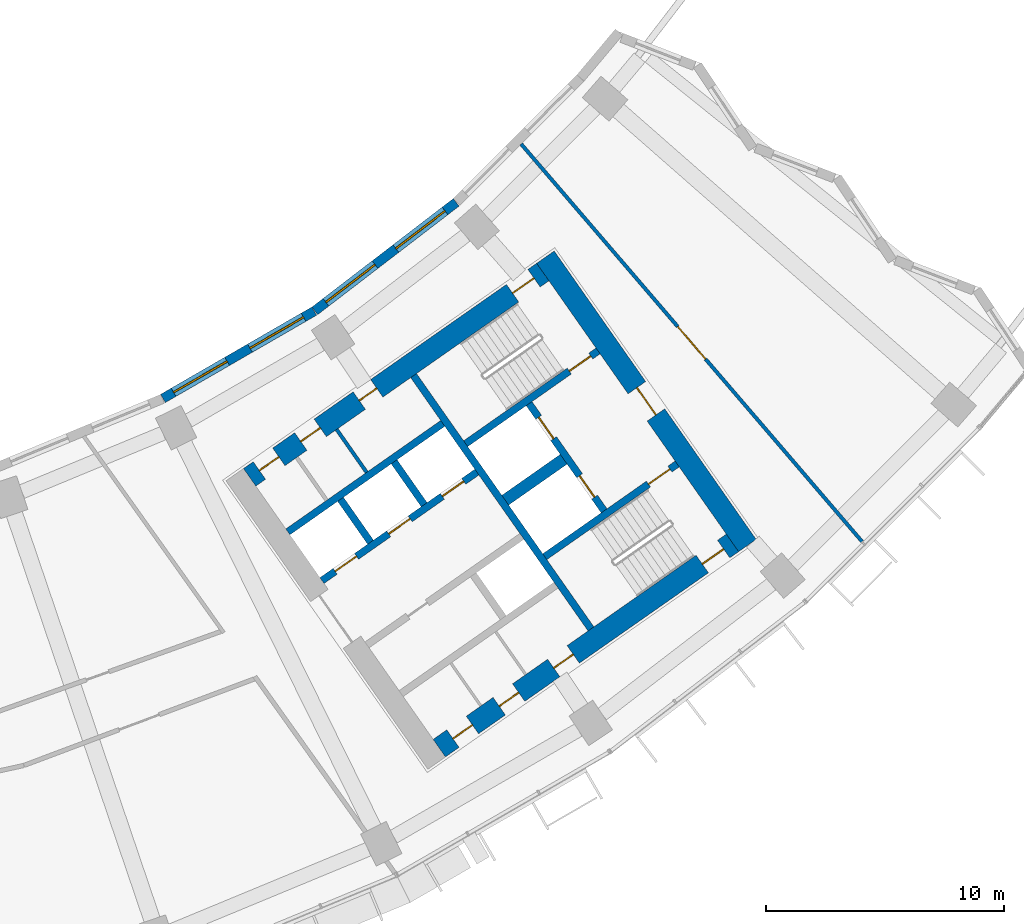
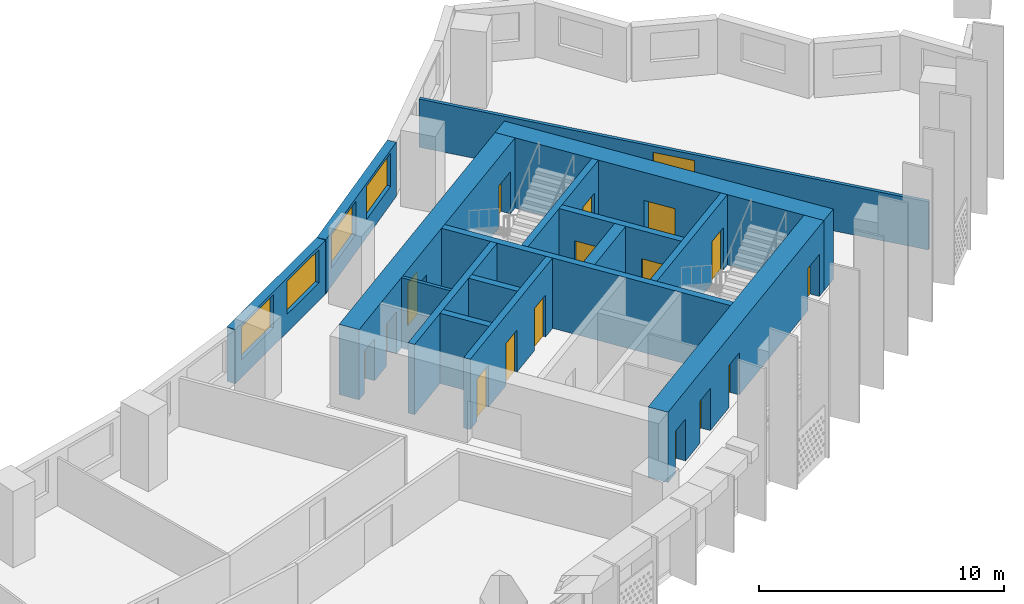
# One storey, part 7 of 29: 17 doors, 16 walls, 4 windows, 21 openings.
"""IFC4 building model written with IfcOpenShell, lengths in metres."""

from ifc_helpers import new_model, si_unit, direction, frame, frame_2d, origin, place, context, subcontext, project, spatial, rectangle, extrude, material, layer, layer_set, type_object, element, fill, save


model = new_model("IFC4")

# Units and contexts
model_context = context("Model", 3, precision=1e-05, world=origin(), true_north=direction((0.0, 1.0)))
body_context = subcontext(model_context, "Body", "Model", "MODEL_VIEW")
ifc_project = project(units=[si_unit("LENGTHUNIT", "METRE"), si_unit("AREAUNIT", "SQUARE_METRE"), si_unit("VOLUMEUNIT", "CUBIC_METRE"), si_unit("PLANEANGLEUNIT", "RADIAN"), si_unit("MASSUNIT", "GRAM", prefix="KILO")], contexts=[model_context])

# Site, building, storey
site_placement = place(None, origin())
site = spatial("IfcSite", under=ifc_project, at=site_placement, CompositionType="ELEMENT")
building_placement = place(site_placement, origin())
building = spatial("IfcBuilding", under=site, at=building_placement, Name="Qamariyya Broadcast Tower", CompositionType="ELEMENT")
storey_placement = place(building_placement, frame((0.0, 0.0, 132.89990234375)))
storey = spatial("IfcBuildingStorey", under=building, at=storey_placement, Name="L30", CompositionType="ELEMENT", Elevation=132.89990234375)

# Wall, opening, door
ifc_material_1 = material(Name="Concrete C70/85", Category="concrete")
ifc_layer_1 = layer(ifc_material_1, 0.89990234375)
ifc_layer_set_1 = layer_set([ifc_layer_1], Name="Core wall 900 mm Concrete C70/85")
wall_type_1 = type_object("IfcWallType", Name="Core wall 900 mm Concrete C70/85", PredefinedType="SHEAR", material=ifc_layer_set_1)
wall_1_placement = place(storey_placement, frame((49.778564453125, -57.191162109375, 0.0), z_axis=(0.0, 0.0, 1.0), x_axis=(-0.573577477574, 0.819151315216, 0.0)))
wall_1 = element("IfcWall", 1, at=wall_1_placement, inside=storey, type_object=wall_type_1, Name="k-E-L30-WH", PredefinedType="SHEAR", context=body_context, shape_type="SweptSolid", body=[
    extrude(rectangle(XDim=14.800048828125, YDim=0.89990234375, at=frame_2d((7.39990234375, 0.0))), origin(), (0.0, 0.0, 1.0), 3.5),
])
opening_1_placement = place(wall_1_placement, frame((6.699951171875, 0.0, 0.0)))
opening_1 = element("IfcOpeningElement", 2, at=opening_1_placement, cuts=wall_1, Name="Opening KD2-E1", PredefinedType="OPENING", context=body_context, shape_type="SweptSolid", body=[
    extrude(rectangle(XDim=1.39990234375, YDim=2.10009765625, at=frame_2d((0.699951171875, 1.050048828125))), frame((0.0, 0.4599609375, 0.0), z_axis=(0.0, -1.0, 0.0), x_axis=(1.0, 0.0, 0.0)), (0.0, 0.0, 1.0), 0.919921875),
])
ifc_material_2 = material(Name="Steel fire-resisting door leaf", Category="steel")
door_type_1 = type_object("IfcDoorType", Name="Fire-fighting lobby door KD2", OperationType="DOUBLE_DOOR_SINGLE_SWING", PredefinedType="DOOR", material=ifc_material_2)
door_1_placement = place(opening_1_placement, origin())
door_1 = element("IfcDoor", 3, at=door_1_placement, inside=storey, type_object=door_type_1, Name="k-E-L30-WH-D14", OperationType="DOUBLE_DOOR_SINGLE_SWING", OverallHeight=2.10009765625, OverallWidth=1.39990234375, PredefinedType="DOOR", context=body_context, shape_type="SweptSolid", body=[
    extrude(rectangle(XDim=1.39990234375, YDim=2.10009765625, at=frame_2d((0.699951171875, 1.050048828125))), frame((0.0, 0.02490234375, 0.0), z_axis=(0.0, -1.0, 0.0), x_axis=(1.0, 0.0, 0.0)), (0.0, 0.0, 1.0), 0.050048828125),
])
fill(opening_1, door_1)

# Wall, openings, doors
wall_2_placement = place(storey_placement, frame((28.8544921875, -54.32421875, 0.0), z_axis=(0.0, 0.0, 1.0), x_axis=(0.819145767589, 0.573585400304, 0.0)))
wall_2 = element("IfcWall", 4, at=wall_2_placement, inside=storey, type_object=wall_type_1, Name="k-E-L30-WI", PredefinedType="SHEAR", context=body_context, shape_type="SweptSolid", body=[
    extrude(rectangle(XDim=15.04541015625, YDim=0.89990234375, at=frame_2d((7.522705078125, 0.0))), origin(), (0.0, 0.0, 1.0), 3.5),
])
opening_2_placement = place(wall_2_placement, frame((0.5, 0.0, 0.0)))
opening_2 = element("IfcOpeningElement", 5, at=opening_2_placement, cuts=wall_2, Name="Opening KD6-E2", PredefinedType="OPENING", context=body_context, shape_type="SweptSolid", body=[
    extrude(rectangle(XDim=1.0, YDim=2.10009765625, at=frame_2d((0.5, 1.050048828125))), frame((0.0, 0.4599609375, 0.0), z_axis=(0.0, -1.0, 0.0), x_axis=(1.0, 0.0, 0.0)), (0.0, 0.0, 1.0), 0.919921875),
])
opening_3_placement = place(wall_2_placement, frame((2.625, 0.0, 0.0)))
opening_3 = element("IfcOpeningElement", 6, at=opening_3_placement, cuts=wall_2, Name="Opening KD7-E1", PredefinedType="OPENING", context=body_context, shape_type="SweptSolid", body=[
    extrude(rectangle(XDim=1.0, YDim=2.10009765625, at=frame_2d((0.5, 1.050048828125))), frame((0.0, 0.4599609375, 0.0), z_axis=(0.0, -1.0, 0.0), x_axis=(1.0, 0.0, 0.0)), (0.0, 0.0, 1.0), 0.919921875),
])
opening_4_placement = place(wall_2_placement, frame((5.625, 0.0, 0.0)))
opening_4 = element("IfcOpeningElement", 7, at=opening_4_placement, cuts=wall_2, Name="Opening KD5-E1", PredefinedType="OPENING", context=body_context, shape_type="SweptSolid", body=[
    extrude(rectangle(XDim=0.89990234375, YDim=2.10009765625, at=frame_2d((0.449951171875, 1.050048828125))), frame((0.0, 0.4599609375, 0.0), z_axis=(0.0, -1.0, 0.0), x_axis=(1.0, 0.0, 0.0)), (0.0, 0.0, 1.0), 0.919921875),
])
opening_5_placement = place(wall_2_placement, frame((13.495361328125, 0.0, 0.0)))
opening_5 = element("IfcOpeningElement", 8, at=opening_5_placement, cuts=wall_2, Name="Opening KD1-E1", PredefinedType="OPENING", context=body_context, shape_type="SweptSolid", body=[
    extrude(rectangle(XDim=1.10009765625, YDim=2.10009765625, at=frame_2d((0.550048828125, 1.050048828125))), frame((0.0, 0.4599609375, 0.0), z_axis=(0.0, -1.0, 0.0), x_axis=(1.0, 0.0, 0.0)), (0.0, 0.0, 1.0), 0.919921875),
])
door_type_2 = type_object("IfcDoorType", Name="Accessible toilet door KD7", OperationType="SINGLE_SWING_LEFT", PredefinedType="DOOR", material=ifc_material_2)
door_2_placement = place(opening_3_placement, origin())
door_2 = element("IfcDoor", 9, at=door_2_placement, inside=storey, type_object=door_type_2, Name="k-E-L30-WI-D7", OperationType="SINGLE_SWING_LEFT", OverallHeight=2.10009765625, OverallWidth=1.0, PredefinedType="DOOR", context=body_context, shape_type="SweptSolid", body=[
    extrude(rectangle(XDim=1.0, YDim=2.10009765625, at=frame_2d((0.5, 1.050048828125))), frame((0.0, 0.02490234375, 0.0), z_axis=(0.0, -1.0, 0.0), x_axis=(1.0, 0.0, 0.0)), (0.0, 0.0, 1.0), 0.050048828125),
])
fill(opening_3, door_2)
door_type_3 = type_object("IfcDoorType", Name="Core room door KD6", OperationType="SINGLE_SWING_LEFT", PredefinedType="DOOR", material=ifc_material_2)
door_3_placement = place(opening_2_placement, origin())
door_3 = element("IfcDoor", 10, at=door_3_placement, inside=storey, type_object=door_type_3, Name="k-E-L30-WI-D6", OperationType="SINGLE_SWING_RIGHT", OverallHeight=2.10009765625, OverallWidth=1.0, PredefinedType="DOOR", context=body_context, shape_type="SweptSolid", body=[
    extrude(rectangle(XDim=1.0, YDim=2.10009765625, at=frame_2d((0.5, 1.050048828125))), frame((0.0, 0.02490234375, 0.0), z_axis=(0.0, -1.0, 0.0), x_axis=(1.0, 0.0, 0.0)), (0.0, 0.0, 1.0), 0.050048828125),
])
fill(opening_2, door_3)
door_type_4 = type_object("IfcDoorType", Name="Stair door KD1", OperationType="SINGLE_SWING_LEFT", PredefinedType="DOOR", material=ifc_material_2)
door_4_placement = place(opening_5_placement, origin())
door_4 = element("IfcDoor", 11, at=door_4_placement, inside=storey, type_object=door_type_4, Name="k-E-L30-WI-D15", OperationType="SINGLE_SWING_RIGHT", OverallHeight=2.10009765625, OverallWidth=1.10009765625, PredefinedType="DOOR", context=body_context, shape_type="SweptSolid", body=[
    extrude(rectangle(XDim=1.10009765625, YDim=2.10009765625, at=frame_2d((0.550048828125, 1.050048828125))), frame((0.0, 0.02490234375, 0.0), z_axis=(0.0, -1.0, 0.0), x_axis=(1.0, 0.0, 0.0)), (0.0, 0.0, 1.0), 0.050048828125),
])
fill(opening_5, door_4)
door_type_5 = type_object("IfcDoorType", Name="Toilet door KD5", OperationType="SINGLE_SWING_LEFT", PredefinedType="DOOR", material=ifc_material_2)
door_5_placement = place(opening_4_placement, origin())
door_5 = element("IfcDoor", 12, at=door_5_placement, inside=storey, type_object=door_type_5, Name="k-E-L30-WI-D8", OperationType="SINGLE_SWING_RIGHT", OverallHeight=2.10009765625, OverallWidth=0.89990234375, PredefinedType="DOOR", context=body_context, shape_type="SweptSolid", body=[
    extrude(rectangle(XDim=0.89990234375, YDim=2.10009765625, at=frame_2d((0.449951171875, 1.050048828125))), frame((0.0, 0.02490234375, 0.0), z_axis=(0.0, -1.0, 0.0), x_axis=(1.0, 0.0, 0.0)), (0.0, 0.0, 1.0), 0.050048828125),
])
fill(opening_4, door_5)

wall_3_placement = place(storey_placement, frame((36.827392578125, -65.710205078125, 0.0), z_axis=(0.0, 0.0, 1.0), x_axis=(0.819153391756, 0.573574511963, 0.0)))
wall_3 = element("IfcWall", 13, at=wall_3_placement, inside=storey, type_object=wall_type_1, Name="k-E-L30-WO", PredefinedType="SHEAR", context=body_context, shape_type="SweptSolid", body=[
    extrude(rectangle(XDim=15.04541015625, YDim=0.89990234375, at=frame_2d((7.522705078125, 0.0))), origin(), (0.0, 0.0, 1.0), 3.5),
])
opening_6_placement = place(wall_3_placement, frame((0.699951171875, 0.0, 0.0)))
opening_6 = element("IfcOpeningElement", 14, at=opening_6_placement, cuts=wall_3, Name="Opening KD6-E3", PredefinedType="OPENING", context=body_context, shape_type="SweptSolid", body=[
    extrude(rectangle(XDim=1.0, YDim=2.10009765625, at=frame_2d((0.5, 1.050048828125))), frame((0.0, 0.4599609375, 0.0), z_axis=(0.0, -1.0, 0.0), x_axis=(1.0, 0.0, 0.0)), (0.0, 0.0, 1.0), 0.919921875),
])
opening_7_placement = place(wall_3_placement, frame((3.074951171875, 0.0, 0.0)))
opening_7 = element("IfcOpeningElement", 15, at=opening_7_placement, cuts=wall_3, Name="Opening KD4-E1", PredefinedType="OPENING", context=body_context, shape_type="SweptSolid", body=[
    extrude(rectangle(XDim=1.0, YDim=2.10009765625, at=frame_2d((0.5, 1.050048828125))), frame((0.0, 0.4599609375, 0.0), z_axis=(0.0, -1.0, 0.0), x_axis=(1.0, 0.0, 0.0)), (0.0, 0.0, 1.0), 0.919921875),
])
opening_8_placement = place(wall_3_placement, frame((5.875, 0.0, 0.0)))
opening_8 = element("IfcOpeningElement", 16, at=opening_8_placement, cuts=wall_3, Name="Opening KD4-E2", PredefinedType="OPENING", context=body_context, shape_type="SweptSolid", body=[
    extrude(rectangle(XDim=1.0, YDim=2.10009765625, at=frame_2d((0.5, 1.050048828125))), frame((0.0, 0.4599609375, 0.0), z_axis=(0.0, -1.0, 0.0), x_axis=(1.0, 0.0, 0.0)), (0.0, 0.0, 1.0), 0.919921875),
])
opening_9_placement = place(wall_3_placement, frame((13.495361328125, 0.0, 0.0)))
opening_9 = element("IfcOpeningElement", 17, at=opening_9_placement, cuts=wall_3, Name="Opening KD1-E3", PredefinedType="OPENING", context=body_context, shape_type="SweptSolid", body=[
    extrude(rectangle(XDim=1.10009765625, YDim=2.10009765625, at=frame_2d((0.550048828125, 1.050048828125))), frame((0.0, 0.4599609375, 0.0), z_axis=(0.0, -1.0, 0.0), x_axis=(1.0, 0.0, 0.0)), (0.0, 0.0, 1.0), 0.919921875),
])
door_6_placement = place(opening_6_placement, origin())
door_6 = element("IfcDoor", 18, at=door_6_placement, inside=storey, type_object=door_type_3, Name="k-E-L30-WO-D9", OperationType="SINGLE_SWING_LEFT", OverallHeight=2.10009765625, OverallWidth=1.0, PredefinedType="DOOR", context=body_context, shape_type="SweptSolid", body=[
    extrude(rectangle(XDim=1.0, YDim=2.10009765625, at=frame_2d((0.5, 1.050048828125))), frame((0.0, 0.02490234375, 0.0), z_axis=(0.0, -1.0, 0.0), x_axis=(1.0, 0.0, 0.0)), (0.0, 0.0, 1.0), 0.050048828125),
])
fill(opening_6, door_6)
door_type_6 = type_object("IfcDoorType", Name="Riser and plant door KD4", OperationType="SINGLE_SWING_LEFT", PredefinedType="DOOR", material=ifc_material_2)
door_7_placement = place(opening_7_placement, origin())
door_7 = element("IfcDoor", 19, at=door_7_placement, inside=storey, type_object=door_type_6, Name="k-E-L30-WO-D10", OperationType="SINGLE_SWING_RIGHT", OverallHeight=2.10009765625, OverallWidth=1.0, PredefinedType="DOOR", context=body_context, shape_type="SweptSolid", body=[
    extrude(rectangle(XDim=1.0, YDim=2.10009765625, at=frame_2d((0.5, 1.050048828125))), frame((0.0, 0.02490234375, 0.0), z_axis=(0.0, -1.0, 0.0), x_axis=(1.0, 0.0, 0.0)), (0.0, 0.0, 1.0), 0.050048828125),
])
fill(opening_7, door_7)
door_8_placement = place(opening_8_placement, origin())
door_8 = element("IfcDoor", 20, at=door_8_placement, inside=storey, type_object=door_type_6, Name="k-E-L30-WO-D11", OperationType="SINGLE_SWING_LEFT", OverallHeight=2.10009765625, OverallWidth=1.0, PredefinedType="DOOR", context=body_context, shape_type="SweptSolid", body=[
    extrude(rectangle(XDim=1.0, YDim=2.10009765625, at=frame_2d((0.5, 1.050048828125))), frame((0.0, 0.02490234375, 0.0), z_axis=(0.0, -1.0, 0.0), x_axis=(1.0, 0.0, 0.0)), (0.0, 0.0, 1.0), 0.050048828125),
])
fill(opening_8, door_8)
door_9_placement = place(opening_9_placement, origin())
door_9 = element("IfcDoor", 21, at=door_9_placement, inside=storey, type_object=door_type_4, Name="k-E-L30-WO-D17", OperationType="SINGLE_SWING_LEFT", OverallHeight=2.10009765625, OverallWidth=1.10009765625, PredefinedType="DOOR", context=body_context, shape_type="SweptSolid", body=[
    extrude(rectangle(XDim=1.10009765625, YDim=2.10009765625, at=frame_2d((0.550048828125, 1.050048828125))), frame((0.0, 0.02490234375, 0.0), z_axis=(0.0, -1.0, 0.0), x_axis=(1.0, 0.0, 0.0)), (0.0, 0.0, 1.0), 0.050048828125),
])
fill(opening_9, door_9)

# Wall, opening, door
ifc_material_3 = material(Name="Gypsum board partition")
ifc_layer_2 = layer(ifc_material_3, 0.14990234375)
ifc_layer_set_2 = layer_set([ifc_layer_2], Name="Corridor partition 150 EI 60")
wall_type_2 = type_object("IfcWallType", Name="Corridor partition 150 EI 60", PredefinedType="PARTITIONING", material=ifc_layer_set_2)
wall_4_placement = place(storey_placement, frame((40.267578125, -40.310791015625, 0.0), z_axis=(0.0, 0.0, 1.0), x_axis=(0.650987681244, -0.759088294514, 0.0)))
wall_4 = element("IfcWall", 22, at=wall_4_placement, inside=storey, type_object=wall_type_2, Name="Partition L30-034", PredefinedType="PARTITIONING", context=body_context, shape_type="SweptSolid", body=[
    extrude(rectangle(XDim=22.017822265625, YDim=0.14990234375, at=frame_2d((11.0087890625, 0.0))), origin(), (0.0, 0.0, 1.0), 2.400146484375),
])
opening_10_placement = place(wall_4_placement, frame((10.10888671875, 0.0, 0.0)))
opening_10 = element("IfcOpeningElement", 23, at=opening_10_placement, cuts=wall_4, Name="Opening L30-D15", PredefinedType="OPENING", context=body_context, shape_type="SweptSolid", body=[
    extrude(rectangle(XDim=1.800048828125, YDim=2.10009765625, at=frame_2d((0.89990234375, 1.050048828125))), frame((0.0, 0.0849609375, 0.0), z_axis=(0.0, -1.0, 0.0), x_axis=(1.0, 0.0, 0.0)), (0.0, 0.0, 1.0), 0.169921875),
])
ifc_material_4 = material(Name="Timber fire door leaf", Category="wood")
door_type_7 = type_object("IfcDoorType", Name="Double fire door 1800 x 2100 FD60", OperationType="NOTDEFINED", PredefinedType="DOOR", material=ifc_material_4)
door_10_placement = place(opening_10_placement, origin())
door_10 = element("IfcDoor", 24, at=door_10_placement, inside=storey, type_object=door_type_7, Name="Door L30-D15", OperationType="DOUBLE_DOOR_SINGLE_SWING", OverallHeight=2.10009765625, OverallWidth=1.800048828125, PredefinedType="DOOR", context=body_context, shape_type="SweptSolid", body=[
    extrude(rectangle(XDim=1.800048828125, YDim=2.10009765625, at=frame_2d((0.89990234375, 1.050048828125))), frame((0.0, 0.02490234375, 0.0), z_axis=(0.0, -1.0, 0.0), x_axis=(1.0, 0.0, 0.0)), (0.0, 0.0, 1.0), 0.050048828125),
])
fill(opening_10, door_10)

# Walls
ifc_material_5 = material(Name="Concrete C60/75", Category="concrete")
ifc_layer_3 = layer(ifc_material_5, 0.5)
ifc_layer_set_3 = layer_set([ifc_layer_3], Name="Fire-fighting lobby divider wall 500 mm Concrete C60/75")
wall_type_3 = type_object("IfcWallType", Name="Fire-fighting lobby divider wall 500 mm Concrete C60/75", PredefinedType="SOLIDWALL", material=ifc_layer_set_3)
wall_5_placement = place(storey_placement, frame((39.59912109375, -55.28515625, 0.0), z_axis=(0.0, 0.0, 1.0), x_axis=(0.819136323161, 0.573598887793, 0.0)))
element("IfcWall", 25, at=wall_5_placement, inside=storey, type_object=wall_type_3, Name="k-E-L30-FD", PredefinedType="SOLIDWALL", context=body_context, shape_type="SweptSolid", body=[
    extrude(rectangle(XDim=2.999755859375, YDim=0.5, at=frame_2d((1.5, 0.0))), origin(), (0.0, 0.0, 1.0), 3.5),
])
ifc_material_6 = material(Name="Gypsum board partition on steel studs", Category="steel")
ifc_layer_4 = layer(ifc_material_6, 0.14990234375)
ifc_layer_set_4 = layer_set([ifc_layer_4], Name="Gypsum board partition 150 mm")
wall_type_4 = type_object("IfcWallType", Name="Gypsum board partition 150 mm", PredefinedType="PARTITIONING", material=ifc_layer_set_4)
wall_6_placement = place(storey_placement, frame((33.774169921875, -54.114501953125, 0.0), z_axis=(0.0, 0.0, 1.0), x_axis=(-0.573581496053, 0.819148501424, 0.0)))
element("IfcWall", 26, at=wall_6_placement, inside=storey, type_object=wall_type_4, Name="k-E-L30-NP415", PredefinedType="PARTITIONING", context=body_context, shape_type="SweptSolid", body=[
    extrude(rectangle(XDim=2.2001953125, YDim=0.14990234375, at=frame_2d((1.10009765625, 0.0))), origin(), (0.0, 0.0, 1.0), 3.5),
])
ifc_layer_5 = layer(ifc_material_5, 0.300048828125)
ifc_layer_set_5 = layer_set([ifc_layer_5], Name="Lift shaft wall 300 mm Concrete C60/75")
wall_type_5 = type_object("IfcWallType", Name="Lift shaft wall 300 mm Concrete C60/75", PredefinedType="SOLIDWALL", material=ifc_layer_set_5)
wall_7_placement = place(storey_placement, frame((43.204345703125, -60.69580078125, 0.0), z_axis=(0.0, 0.0, 1.0), x_axis=(-0.573571992966, 0.819155155563, 0.0)))
element("IfcWall", 27, at=wall_7_placement, inside=storey, type_object=wall_type_5, Name="k-E-L30-WL", PredefinedType="SOLIDWALL", context=body_context, shape_type="SweptSolid", body=[
    extrude(rectangle(XDim=13.000244140625, YDim=0.300048828125, at=frame_2d((6.5, 0.0))), origin(), (0.0, 0.0, 1.0), 3.5),
])

# Wall, openings, doors
wall_8_placement = place(storey_placement, frame((31.89453125, -58.66552734375, 0.0), z_axis=(0.0, 0.0, 1.0), x_axis=(0.819166993208, 0.573555086491, 0.0)))
wall_8 = element("IfcWall", 28, at=wall_8_placement, inside=storey, type_object=wall_type_5, Name="k-E-L30-NF0", PredefinedType="SOLIDWALL", context=body_context, shape_type="SweptSolid", body=[
    extrude(rectangle(XDim=7.9501953125, YDim=0.300048828125, at=frame_2d((3.97509765625, 0.0))), origin(), (0.0, 0.0, 1.0), 3.5),
])
opening_11_placement = place(wall_8_placement, frame((0.675048828125, 0.0, 0.0)))
opening_11 = element("IfcOpeningElement", 29, at=opening_11_placement, cuts=wall_8, Name="Opening LD", PredefinedType="OPENING", context=body_context, shape_type="SweptSolid", body=[
    extrude(rectangle(XDim=1.10009765625, YDim=2.10009765625, at=frame_2d((0.550048828125, 1.050048828125))), frame((0.0, 0.159912109375, 0.0), z_axis=(0.0, -1.0, 0.0), x_axis=(1.0, 0.0, 0.0)), (0.0, 0.0, 1.0), 0.320068359375),
])
opening_12_placement = place(wall_8_placement, frame((3.425048828125, 0.0, 0.0)))
opening_12 = element("IfcOpeningElement", 30, at=opening_12_placement, cuts=wall_8, Name="Opening LD", PredefinedType="OPENING", context=body_context, shape_type="SweptSolid", body=[
    extrude(rectangle(XDim=1.10009765625, YDim=2.10009765625, at=frame_2d((0.550048828125, 1.050048828125))), frame((0.0, 0.159912109375, 0.0), z_axis=(0.0, -1.0, 0.0), x_axis=(1.0, 0.0, 0.0)), (0.0, 0.0, 1.0), 0.320068359375),
])
opening_13_placement = place(wall_8_placement, frame((6.175048828125, 0.0, 0.0)))
opening_13 = element("IfcOpeningElement", 31, at=opening_13_placement, cuts=wall_8, Name="Opening LD", PredefinedType="OPENING", context=body_context, shape_type="SweptSolid", body=[
    extrude(rectangle(XDim=1.10009765625, YDim=2.10009765625, at=frame_2d((0.550048828125, 1.050048828125))), frame((0.0, 0.159912109375, 0.0), z_axis=(0.0, -1.0, 0.0), x_axis=(1.0, 0.0, 0.0)), (0.0, 0.0, 1.0), 0.320068359375),
])
door_type_8 = type_object("IfcDoorType", Name="Lift landing door LD", OperationType="DOUBLE_DOOR_SLIDING", PredefinedType="DOOR", material=ifc_material_2)
door_11_placement = place(opening_11_placement, origin())
door_11 = element("IfcDoor", 32, at=door_11_placement, inside=storey, type_object=door_type_8, Name="k-E-L30-NF0-D2", OperationType="DOUBLE_DOOR_SLIDING", OverallHeight=2.10009765625, OverallWidth=1.10009765625, PredefinedType="DOOR", context=body_context, shape_type="SweptSolid", body=[
    extrude(rectangle(XDim=1.10009765625, YDim=2.10009765625, at=frame_2d((0.550048828125, 1.050048828125))), frame((0.0, 0.02490234375, 0.0), z_axis=(0.0, -1.0, 0.0), x_axis=(1.0, 0.0, 0.0)), (0.0, 0.0, 1.0), 0.050048828125),
])
fill(opening_11, door_11)
door_12_placement = place(opening_12_placement, origin())
door_12 = element("IfcDoor", 33, at=door_12_placement, inside=storey, type_object=door_type_8, Name="k-E-L30-NF0-D3", OperationType="DOUBLE_DOOR_SLIDING", OverallHeight=2.10009765625, OverallWidth=1.10009765625, PredefinedType="DOOR", context=body_context, shape_type="SweptSolid", body=[
    extrude(rectangle(XDim=1.10009765625, YDim=2.10009765625, at=frame_2d((0.550048828125, 1.050048828125))), frame((0.0, 0.02490234375, 0.0), z_axis=(0.0, -1.0, 0.0), x_axis=(1.0, 0.0, 0.0)), (0.0, 0.0, 1.0), 0.050048828125),
])
fill(opening_12, door_12)
door_13_placement = place(opening_13_placement, origin())
door_13 = element("IfcDoor", 34, at=door_13_placement, inside=storey, type_object=door_type_8, Name="k-E-L30-NF0-D4", OperationType="DOUBLE_DOOR_SLIDING", OverallHeight=2.10009765625, OverallWidth=1.10009765625, PredefinedType="DOOR", context=body_context, shape_type="SweptSolid", body=[
    extrude(rectangle(XDim=1.10009765625, YDim=2.10009765625, at=frame_2d((0.550048828125, 1.050048828125))), frame((0.0, 0.02490234375, 0.0), z_axis=(0.0, -1.0, 0.0), x_axis=(1.0, 0.0, 0.0)), (0.0, 0.0, 1.0), 0.050048828125),
])
fill(opening_13, door_13)

# Walls
wall_9_placement = place(storey_placement, frame((30.460693359375, -56.61767578125, 0.0), z_axis=(0.0, 0.0, 1.0), x_axis=(0.819142461705, 0.573590121456, 0.0)))
element("IfcWall", 35, at=wall_9_placement, inside=storey, type_object=wall_type_5, Name="k-E-L30-NB0", PredefinedType="SOLIDWALL", context=body_context, shape_type="SweptSolid", body=[
    extrude(rectangle(XDim=7.949951171875, YDim=0.300048828125, at=frame_2d((3.97509765625, 0.0))), origin(), (0.0, 0.0, 1.0), 3.5),
])
wall_10_placement = place(storey_placement, frame((33.9384765625, -57.051513671875, 0.0), z_axis=(0.0, 0.0, 1.0), x_axis=(-0.573581496053, 0.819148501424, 0.0)))
element("IfcWall", 36, at=wall_10_placement, inside=storey, type_object=wall_type_5, Name="k-E-L30-ND0", PredefinedType="SOLIDWALL", context=body_context, shape_type="SweptSolid", body=[
    extrude(rectangle(XDim=2.2001953125, YDim=0.300048828125, at=frame_2d((1.10009765625, 0.0))), origin(), (0.0, 0.0, 1.0), 3.5),
])
wall_11_placement = place(storey_placement, frame((36.19091796875, -55.47412109375, 0.0), z_axis=(0.0, 0.0, 1.0), x_axis=(-0.573507030513, 0.819200638399, 0.0)))
element("IfcWall", 37, at=wall_11_placement, inside=storey, type_object=wall_type_5, Name="k-E-L30-ND1", PredefinedType="SOLIDWALL", context=body_context, shape_type="SweptSolid", body=[
    extrude(rectangle(XDim=2.199951171875, YDim=0.300048828125, at=frame_2d((1.10009765625, 0.0))), origin(), (0.0, 0.0, 1.0), 3.5),
])

# Wall, opening, door
wall_12_placement = place(storey_placement, frame((37.935546875, -52.90966796875, 0.0), z_axis=(0.0, 0.0, 1.0), x_axis=(0.819147518138, 0.57358290031, 0.0)))
wall_12 = element("IfcWall", 38, at=wall_12_placement, inside=storey, type_object=wall_type_5, Name="k-E-L30-NW", PredefinedType="SOLIDWALL", context=body_context, shape_type="SweptSolid", body=[
    extrude(rectangle(XDim=6.79541015625, YDim=0.300048828125, at=frame_2d((3.397705078125, 0.0))), origin(), (0.0, 0.0, 1.0), 3.5),
])
opening_14_placement = place(wall_12_placement, frame((5.3203125, 0.0, 0.0)))
opening_14 = element("IfcOpeningElement", 39, at=opening_14_placement, cuts=wall_12, Name="Opening KD1-E2", PredefinedType="OPENING", context=body_context, shape_type="SweptSolid", body=[
    extrude(rectangle(XDim=1.10009765625, YDim=2.10009765625, at=frame_2d((0.550048828125, 1.050048828125))), frame((0.0, 0.159912109375, 0.0), z_axis=(0.0, -1.0, 0.0), x_axis=(1.0, 0.0, 0.0)), (0.0, 0.0, 1.0), 0.320068359375),
])
door_14_placement = place(opening_14_placement, origin())
door_14 = element("IfcDoor", 40, at=door_14_placement, inside=storey, type_object=door_type_4, Name="k-E-L30-NW-D16", OperationType="SINGLE_SWING_RIGHT", OverallHeight=2.10009765625, OverallWidth=1.10009765625, PredefinedType="DOOR", context=body_context, shape_type="SweptSolid", body=[
    extrude(rectangle(XDim=1.10009765625, YDim=2.10009765625, at=frame_2d((0.550048828125, 1.050048828125))), frame((0.0, 0.02490234375, 0.0), z_axis=(0.0, -1.0, 0.0), x_axis=(1.0, 0.0, 0.0)), (0.0, 0.0, 1.0), 0.050048828125),
])
fill(opening_14, door_14)

wall_13_placement = place(storey_placement, frame((41.262451171875, -57.66064453125, 0.0), z_axis=(0.0, 0.0, 1.0), x_axis=(0.819164398642, 0.573558792102, 0.0)))
wall_13 = element("IfcWall", 41, at=wall_13_placement, inside=storey, type_object=wall_type_5, Name="k-E-L30-SW", PredefinedType="SOLIDWALL", context=body_context, shape_type="SweptSolid", body=[
    extrude(rectangle(XDim=6.795166015625, YDim=0.300048828125, at=frame_2d((3.3974609375, 0.0))), origin(), (0.0, 0.0, 1.0), 3.5),
])
opening_15_placement = place(wall_13_placement, frame((5.3203125, 0.0, 0.0)))
opening_15 = element("IfcOpeningElement", 42, at=opening_15_placement, cuts=wall_13, Name="Opening KD1-E4", PredefinedType="OPENING", context=body_context, shape_type="SweptSolid", body=[
    extrude(rectangle(XDim=1.10009765625, YDim=2.10009765625, at=frame_2d((0.550048828125, 1.050048828125))), frame((0.0, 0.159912109375, 0.0), z_axis=(0.0, -1.0, 0.0), x_axis=(1.0, 0.0, 0.0)), (0.0, 0.0, 1.0), 0.320068359375),
])
door_15_placement = place(opening_15_placement, origin())
door_15 = element("IfcDoor", 43, at=door_15_placement, inside=storey, type_object=door_type_4, Name="k-E-L30-SW-D18", OperationType="SINGLE_SWING_RIGHT", OverallHeight=2.10009765625, OverallWidth=1.10009765625, PredefinedType="DOOR", context=body_context, shape_type="SweptSolid", body=[
    extrude(rectangle(XDim=1.10009765625, YDim=2.10009765625, at=frame_2d((0.550048828125, 1.050048828125))), frame((0.0, 0.02490234375, 0.0), z_axis=(0.0, -1.0, 0.0), x_axis=(1.0, 0.0, 0.0)), (0.0, 0.0, 1.0), 0.050048828125),
])
fill(opening_15, door_15)

# Wall, openings, doors
wall_14_placement = place(storey_placement, frame((43.756591796875, -55.731201171875, 0.0), z_axis=(0.0, 0.0, 1.0), x_axis=(-0.573536818435, 0.819179783625, 0.0)))
wall_14 = element("IfcWall", 44, at=wall_14_placement, inside=storey, type_object=wall_type_5, Name="k-E-L30-FF", PredefinedType="SOLIDWALL", context=body_context, shape_type="SweptSolid", body=[
    extrude(rectangle(XDim=5.500244140625, YDim=0.300048828125, at=frame_2d((2.75, 0.0))), origin(), (0.0, 0.0, 1.0), 3.5),
])
opening_16_placement = place(wall_14_placement, frame((0.699951171875, 0.0, 0.0)))
opening_16 = element("IfcOpeningElement", 45, at=opening_16_placement, cuts=wall_14, Name="Opening LD", PredefinedType="OPENING", context=body_context, shape_type="SweptSolid", body=[
    extrude(rectangle(XDim=1.10009765625, YDim=2.10009765625, at=frame_2d((0.550048828125, 1.050048828125))), frame((0.0, 0.159912109375, 0.0), z_axis=(0.0, -1.0, 0.0), x_axis=(1.0, 0.0, 0.0)), (0.0, 0.0, 1.0), 0.320068359375),
])
opening_17_placement = place(wall_14_placement, frame((3.699951171875, 0.0, 0.0)))
opening_17 = element("IfcOpeningElement", 46, at=opening_17_placement, cuts=wall_14, Name="Opening LD", PredefinedType="OPENING", context=body_context, shape_type="SweptSolid", body=[
    extrude(rectangle(XDim=1.10009765625, YDim=2.10009765625, at=frame_2d((0.550048828125, 1.050048828125))), frame((0.0, 0.159912109375, 0.0), z_axis=(0.0, -1.0, 0.0), x_axis=(1.0, 0.0, 0.0)), (0.0, 0.0, 1.0), 0.320068359375),
])
door_16_placement = place(opening_16_placement, origin())
door_16 = element("IfcDoor", 47, at=door_16_placement, inside=storey, type_object=door_type_8, Name="k-E-L30-FF-D12", OperationType="DOUBLE_DOOR_SLIDING", OverallHeight=2.10009765625, OverallWidth=1.10009765625, PredefinedType="DOOR", context=body_context, shape_type="SweptSolid", body=[
    extrude(rectangle(XDim=1.10009765625, YDim=2.10009765625, at=frame_2d((0.550048828125, 1.050048828125))), frame((0.0, 0.02490234375, 0.0), z_axis=(0.0, -1.0, 0.0), x_axis=(1.0, 0.0, 0.0)), (0.0, 0.0, 1.0), 0.050048828125),
])
fill(opening_16, door_16)
door_17_placement = place(opening_17_placement, origin())
door_17 = element("IfcDoor", 48, at=door_17_placement, inside=storey, type_object=door_type_8, Name="k-E-L30-FF-D13", OperationType="DOUBLE_DOOR_SLIDING", OverallHeight=2.10009765625, OverallWidth=1.10009765625, PredefinedType="DOOR", context=body_context, shape_type="SweptSolid", body=[
    extrude(rectangle(XDim=1.10009765625, YDim=2.10009765625, at=frame_2d((0.550048828125, 1.050048828125))), frame((0.0, 0.02490234375, 0.0), z_axis=(0.0, -1.0, 0.0), x_axis=(1.0, 0.0, 0.0)), (0.0, 0.0, 1.0), 0.050048828125),
])
fill(opening_17, door_17)

# Wall, openings, windows
ifc_material_7 = material(Name="Terracotta", Category="masonry")
ifc_layer_6 = layer(ifc_material_7, 0.39990234375)
ifc_layer_set_6 = layer_set([ifc_layer_6], Name="Terracotta clad wall 400")
wall_type_6 = type_object("IfcWallType", Name="Terracotta clad wall 400", PredefinedType="SOLIDWALL", material=ifc_layer_set_6)
wall_15_placement = place(storey_placement, frame((31.568359375, -47.33642578125, 0.0), z_axis=(0.0, 0.0, 1.0), x_axis=(-0.866030525931, -0.499991128077, 0.0)))
wall_15 = element("IfcWall", 49, at=wall_15_placement, inside=storey, type_object=wall_type_6, Name="e-wl-L30-in130", PredefinedType="SOLIDWALL", context=body_context, shape_type="SweptSolid", body=[
    extrude(rectangle(XDim=7.341552734375, YDim=0.39990234375, at=frame_2d((3.6708984375, 0.0))), origin(), (0.0, 0.0, 1.0), 2.7001953125),
])
opening_18_placement = place(wall_15_placement, frame((4.224853515625, 0.0, 0.89990234375)))
opening_18 = element("IfcOpeningElement", 50, at=opening_18_placement, cuts=wall_15, Name="Opening W1", PredefinedType="OPENING", context=body_context, shape_type="SweptSolid", body=[
    extrude(rectangle(XDim=2.60009765625, YDim=1.64990234375, at=frame_2d((1.300048828125, 0.824951171875))), frame((0.0, 0.2099609375, 0.0), z_axis=(0.0, -1.0, 0.0), x_axis=(1.0, 0.0, 0.0)), (0.0, 0.0, 1.0), 0.419921875),
])
opening_19_placement = place(wall_15_placement, frame((0.5166015625, 0.0, 0.89990234375)))
opening_19 = element("IfcOpeningElement", 51, at=opening_19_placement, cuts=wall_15, Name="Opening W1", PredefinedType="OPENING", context=body_context, shape_type="SweptSolid", body=[
    extrude(rectangle(XDim=2.60009765625, YDim=1.64990234375, at=frame_2d((1.300048828125, 0.824951171875))), frame((0.0, 0.2099609375, 0.0), z_axis=(0.0, -1.0, 0.0), x_axis=(1.0, 0.0, 0.0)), (0.0, 0.0, 1.0), 0.419921875),
])
ifc_material_8 = material(Name="Clear low-e double glazed unit in aluminium frame", Category="aluminium")
window_type = type_object("IfcWindowType", Name="Ribbon window 2600 x 1650", PartitioningType="SINGLE_PANEL", PredefinedType="WINDOW", material=ifc_material_8)
window_1_placement = place(opening_18_placement, origin())
window_1 = element("IfcWindow", 52, at=window_1_placement, inside=storey, type_object=window_type, Name="e-w-L30-in13-0", OverallHeight=1.64990234375, OverallWidth=2.60009765625, PartitioningType="SINGLE_PANEL", PredefinedType="WINDOW", context=body_context, shape_type="SweptSolid", body=[
    extrude(rectangle(XDim=2.60009765625, YDim=1.64990234375, at=frame_2d((1.300048828125, 0.824951171875))), frame((0.0, 0.030029296875, 0.0), z_axis=(0.0, -1.0, 0.0), x_axis=(1.0, 0.0, 0.0)), (0.0, 0.0, 1.0), 0.06005859375),
])
fill(opening_18, window_1)
window_2_placement = place(opening_19_placement, origin())
window_2 = element("IfcWindow", 53, at=window_2_placement, inside=storey, type_object=window_type, Name="e-w-L30-in13-1", OverallHeight=1.64990234375, OverallWidth=2.60009765625, PartitioningType="SINGLE_PANEL", PredefinedType="WINDOW", context=body_context, shape_type="SweptSolid", body=[
    extrude(rectangle(XDim=2.60009765625, YDim=1.64990234375, at=frame_2d((1.300048828125, 0.824951171875))), frame((0.0, 0.030029296875, 0.0), z_axis=(0.0, -1.0, 0.0), x_axis=(1.0, 0.0, 0.0)), (0.0, 0.0, 1.0), 0.06005859375),
])
fill(opening_19, window_2)

wall_16_placement = place(storey_placement, frame((37.536865234375, -42.764892578125, 0.0), z_axis=(0.0, 0.0, 1.0), x_axis=(-0.793363487476, -0.608748204711, 0.0)))
wall_16 = element("IfcWall", 54, at=wall_16_placement, inside=storey, type_object=wall_type_6, Name="e-wl-L30-in140", PredefinedType="SOLIDWALL", context=body_context, shape_type="SweptSolid", body=[
    extrude(rectangle(XDim=7.492919921875, YDim=0.39990234375, at=frame_2d((3.74658203125, 0.0))), origin(), (0.0, 0.0, 1.0), 2.7001953125),
])
opening_20_placement = place(wall_16_placement, frame((4.300537109375, 0.0, 0.89990234375)))
opening_20 = element("IfcOpeningElement", 55, at=opening_20_placement, cuts=wall_16, Name="Opening W1", PredefinedType="OPENING", context=body_context, shape_type="SweptSolid", body=[
    extrude(rectangle(XDim=2.60009765625, YDim=1.64990234375, at=frame_2d((1.300048828125, 0.824951171875))), frame((0.0, 0.2099609375, 0.0), z_axis=(0.0, -1.0, 0.0), x_axis=(1.0, 0.0, 0.0)), (0.0, 0.0, 1.0), 0.419921875),
])
opening_21_placement = place(wall_16_placement, frame((0.59228515625, 0.0, 0.89990234375)))
opening_21 = element("IfcOpeningElement", 56, at=opening_21_placement, cuts=wall_16, Name="Opening W1", PredefinedType="OPENING", context=body_context, shape_type="SweptSolid", body=[
    extrude(rectangle(XDim=2.60009765625, YDim=1.64990234375, at=frame_2d((1.300048828125, 0.824951171875))), frame((0.0, 0.2099609375, 0.0), z_axis=(0.0, -1.0, 0.0), x_axis=(1.0, 0.0, 0.0)), (0.0, 0.0, 1.0), 0.419921875),
])
window_3_placement = place(opening_20_placement, origin())
window_3 = element("IfcWindow", 57, at=window_3_placement, inside=storey, type_object=window_type, Name="e-w-L30-in14-0", OverallHeight=1.64990234375, OverallWidth=2.60009765625, PartitioningType="SINGLE_PANEL", PredefinedType="WINDOW", context=body_context, shape_type="SweptSolid", body=[
    extrude(rectangle(XDim=2.60009765625, YDim=1.64990234375, at=frame_2d((1.300048828125, 0.824951171875))), frame((0.0, 0.030029296875, 0.0), z_axis=(0.0, -1.0, 0.0), x_axis=(1.0, 0.0, 0.0)), (0.0, 0.0, 1.0), 0.06005859375),
])
fill(opening_20, window_3)
window_4_placement = place(opening_21_placement, origin())
window_4 = element("IfcWindow", 58, at=window_4_placement, inside=storey, type_object=window_type, Name="e-w-L30-in14-1", OverallHeight=1.64990234375, OverallWidth=2.60009765625, PartitioningType="SINGLE_PANEL", PredefinedType="WINDOW", context=body_context, shape_type="SweptSolid", body=[
    extrude(rectangle(XDim=2.60009765625, YDim=1.64990234375, at=frame_2d((1.300048828125, 0.824951171875))), frame((0.0, 0.030029296875, 0.0), z_axis=(0.0, -1.0, 0.0), x_axis=(1.0, 0.0, 0.0)), (0.0, 0.0, 1.0), 0.06005859375),
])
fill(opening_21, window_4)

save(model, "model.ifc")
